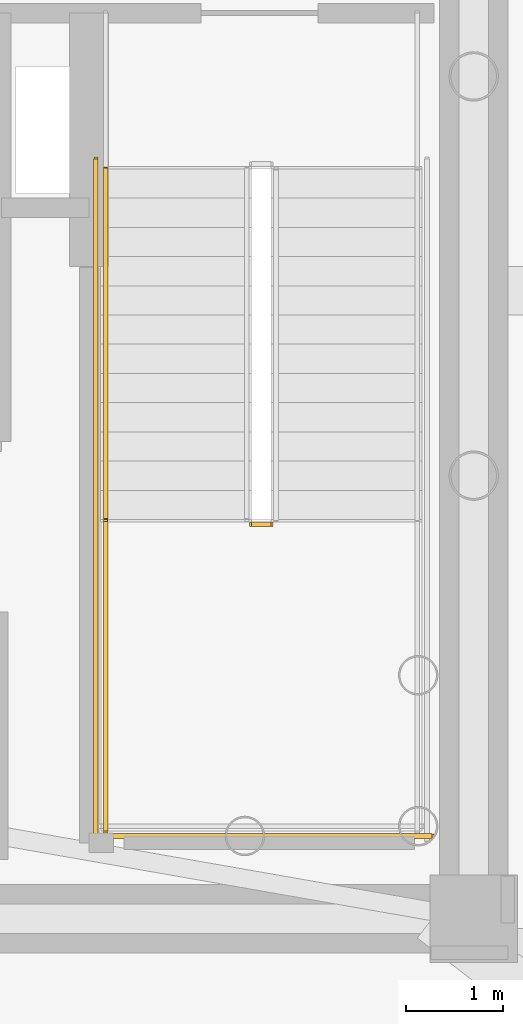
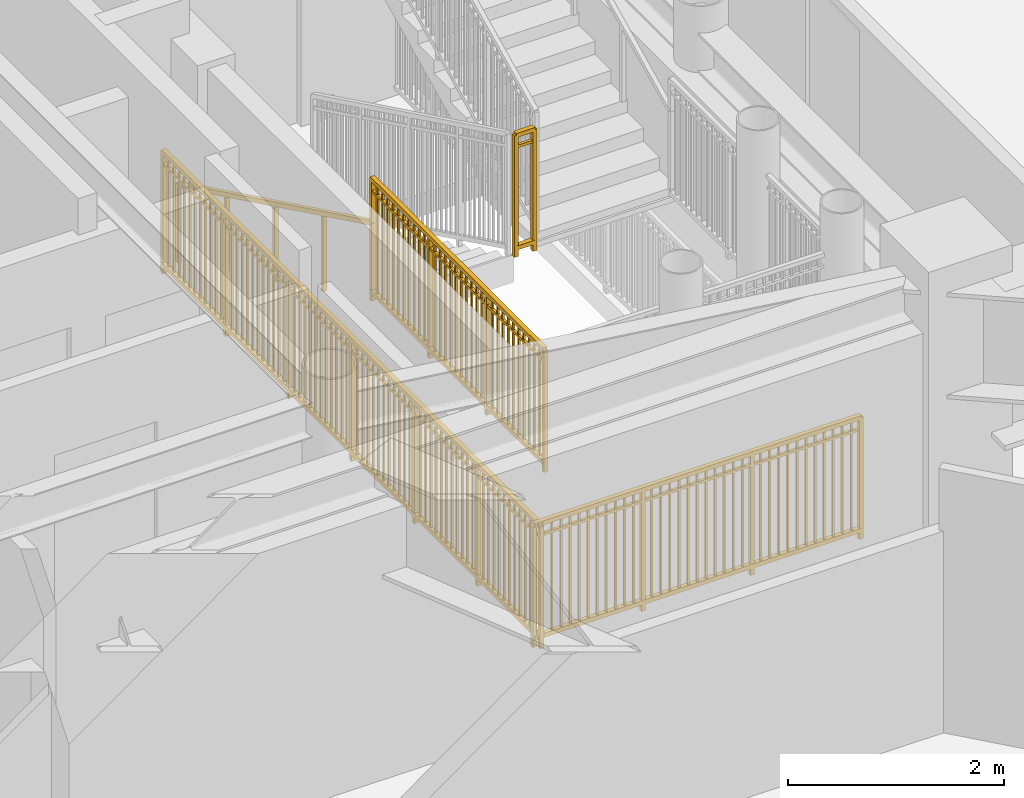
# One storey, part 12 of 16: 5 railings.
"""IFC4 building model written with IfcOpenShell, lengths in metres."""

from ifc_helpers import new_model, si_unit, direction, frame, origin, origin_2d, place, context, subcontext, project, spatial, rectangle, extrude, source, transform, mapped, material, type_object, element, save


model = new_model("IFC4")

# Units and contexts
model_context = context("Model", 3, precision=1e-05, world=origin(), true_north=direction((0.0, 1.0)))
body_context = subcontext(model_context, "Body", "Model", "MODEL_VIEW")
ifc_project = project(units=[si_unit("LENGTHUNIT", "METRE"), si_unit("AREAUNIT", "SQUARE_METRE"), si_unit("VOLUMEUNIT", "CUBIC_METRE"), si_unit("PLANEANGLEUNIT", "RADIAN"), si_unit("MASSUNIT", "GRAM", prefix="KILO")], contexts=[model_context])

# Site, building, storey
site_placement = place(None, origin())
site = spatial("IfcSite", under=ifc_project, at=site_placement, CompositionType="ELEMENT")
building_placement = place(site_placement, origin())
building = spatial("IfcBuilding", under=site, at=building_placement, Name="Linh Dai School and Residence Tower", CompositionType="ELEMENT")
storey_placement = place(building_placement, frame((0.0, 0.0, 343.0)))
storey = spatial("IfcBuildingStorey", under=building, at=storey_placement, Name="L85", CompositionType="ELEMENT", Elevation=343.0)

# Railings
ifc_material_1 = material(Name="Brushed Stainless Steel Handrail", Category="steel")
railing_type_1 = type_object("IfcRailingType", Name="RL-ST-HANDRAIL-900", PredefinedType="HANDRAIL", material=ifc_material_1)
shared_shape_1 = source(origin(), body_context, "Body", "SweptSolid", [
    extrude(rectangle(XDim=0.048095703125, YDim=0.048095703125, at=origin_2d()), frame((0.0, 0.0, 0.8759765625), z_axis=(0.0, -0.899012640991, 0.437922677352), x_axis=(1.0, 0.0, 0.0)), (0.0, 0.0, 1.0), 4.00439453125),
    extrude(rectangle(XDim=0.0419921875, YDim=0.0419921875, at=origin_2d()), origin(), (0.0, 0.0, 1.0), 0.8759765625),
    extrude(rectangle(XDim=0.0419921875, YDim=0.0419921875, at=origin_2d()), frame((0.0, -0.89990234375, 0.4384765625)), (0.0, 0.0, 1.0), 0.8759765625),
    extrude(rectangle(XDim=0.0419921875, YDim=0.0419921875, at=origin_2d()), frame((0.0, -1.800048828125, 0.876953125)), (0.0, 0.0, 1.0), 0.8759765625),
    extrude(rectangle(XDim=0.0419921875, YDim=0.0419921875, at=origin_2d()), frame((0.0, -2.7001953125, 1.315185546875)), (0.0, 0.0, 1.0), 0.8759765625),
    extrude(rectangle(XDim=0.0419921875, YDim=0.0419921875, at=origin_2d()), frame((0.0, -3.60009765625, 1.753662109375)), (0.0, 0.0, 1.0), 0.8759765625),
])
railing_1_placement = place(storey_placement, frame((41.070068359375, 28.25, 0.146240234375)))
element("IfcRailing", 1, at=railing_1_placement, inside=storey, type_object=railing_type_1, Name="L85 ST2 stair handrail 1", PredefinedType="HANDRAIL", context=body_context, shape_type="MappedRepresentation", body=[
    mapped(shared_shape_1, transform((0.0, 0.0, 0.0), x_axis=(1.0, 0.0, 0.0), y_axis=(0.0, 1.0, 0.0), z_axis=(0.0, 0.0, 1.0), scale=1.0)),
])
ifc_material_2 = material(Name="Structural Steel S355JR", Category="steel")
railing_type_2 = type_object("IfcRailingType", Name="RL-ST-GUARD-1400", PredefinedType="GUARDRAIL", material=ifc_material_2)
shared_shape_2 = source(origin(), body_context, "Body", "SweptSolid", [
    extrude(rectangle(XDim=0.048095703125, YDim=0.048095703125, at=origin_2d()), frame((0.0, 0.0, 1.3759765625), z_axis=(1.0, 0.0, 0.0), x_axis=(0.0, 1.0, 0.0)), (0.0, 0.0, 1.0), 0.199951171875),
    extrude(rectangle(XDim=0.048095703125, YDim=0.048095703125, at=origin_2d()), frame((0.0, 0.0, 0.10009765625), z_axis=(1.0, 0.0, 0.0), x_axis=(0.0, 1.0, 0.0)), (0.0, 0.0, 1.0), 0.199951171875),
    extrude(rectangle(XDim=0.030029296875, YDim=0.030029296875, at=origin_2d()), frame((0.0, 0.0, 1.239990234375), z_axis=(1.0, 0.0, 0.0), x_axis=(0.0, 1.0, 0.0)), (0.0, 0.0, 1.0), 0.199951171875),
    extrude(rectangle(XDim=0.0419921875, YDim=0.0419921875, at=origin_2d()), origin(), (0.0, 0.0, 1.0), 1.3759765625),
    extrude(rectangle(XDim=0.0419921875, YDim=0.0419921875, at=origin_2d()), frame((0.199951171875, 0.0, 0.0)), (0.0, 0.0, 1.0), 1.3759765625),
])
railing_2_placement = place(storey_placement, frame((42.570068359375, 24.60009765625, 1.89990234375)))
element("IfcRailing", 2, at=railing_2_placement, inside=storey, type_object=railing_type_2, Name="L85 ST2 stair guard 2", PredefinedType="GUARDRAIL", context=body_context, shape_type="MappedRepresentation", body=[
    mapped(shared_shape_2, transform((0.0, 0.0, 0.0), x_axis=(1.0, 0.0, 0.0), y_axis=(0.0, 1.0, 0.0), z_axis=(0.0, 0.0, 1.0), scale=1.0)),
])
shared_shape_3 = source(origin(), body_context, "Body", "SweptSolid", [
    extrude(rectangle(XDim=0.048095703125, YDim=0.048095703125, at=origin_2d()), frame((0.0, 0.0, 1.3759765625), z_axis=(0.0, -1.0, 0.0), x_axis=(1.0, 0.0, 0.0)), (0.0, 0.0, 1.0), 7.0),
    extrude(rectangle(XDim=0.048095703125, YDim=0.048095703125, at=origin_2d()), frame((0.0, 0.0, 0.10009765625), z_axis=(0.0, -1.0, 0.0), x_axis=(1.0, 0.0, 0.0)), (0.0, 0.0, 1.0), 7.0),
    extrude(rectangle(XDim=0.030029296875, YDim=0.030029296875, at=origin_2d()), frame((0.0, 0.0, 1.239990234375), z_axis=(0.0, -1.0, 0.0), x_axis=(1.0, 0.0, 0.0)), (0.0, 0.0, 1.0), 7.0),
    extrude(rectangle(XDim=0.02001953125, YDim=0.02001953125, at=origin_2d()), frame((0.0, -0.09716796875, 0.10009765625)), (0.0, 0.0, 1.0), 1.251708984375),
    extrude(rectangle(XDim=0.02001953125, YDim=0.02001953125, at=origin_2d()), frame((0.0, -0.1943359375, 0.10009765625)), (0.0, 0.0, 1.0), 1.251708984375),
    extrude(rectangle(XDim=0.02001953125, YDim=0.02001953125, at=origin_2d()), frame((0.0, -0.291748046875, 0.10009765625)), (0.0, 0.0, 1.0), 1.251708984375),
    extrude(rectangle(XDim=0.02001953125, YDim=0.02001953125, at=origin_2d()), frame((0.0, -0.388916015625, 0.10009765625)), (0.0, 0.0, 1.0), 1.251708984375),
    extrude(rectangle(XDim=0.02001953125, YDim=0.02001953125, at=origin_2d()), frame((0.0, -0.486083984375, 0.10009765625)), (0.0, 0.0, 1.0), 1.251708984375),
    extrude(rectangle(XDim=0.02001953125, YDim=0.02001953125, at=origin_2d()), frame((0.0, -0.583251953125, 0.10009765625)), (0.0, 0.0, 1.0), 1.251708984375),
    extrude(rectangle(XDim=0.02001953125, YDim=0.02001953125, at=origin_2d()), frame((0.0, -0.6806640625, 0.10009765625)), (0.0, 0.0, 1.0), 1.251708984375),
    extrude(rectangle(XDim=0.02001953125, YDim=0.02001953125, at=origin_2d()), frame((0.0, -0.77783203125, 0.10009765625)), (0.0, 0.0, 1.0), 1.251708984375),
    extrude(rectangle(XDim=0.02001953125, YDim=0.02001953125, at=origin_2d()), frame((0.0, -0.875, 0.10009765625)), (0.0, 0.0, 1.0), 1.251708984375),
    extrude(rectangle(XDim=0.02001953125, YDim=0.02001953125, at=origin_2d()), frame((0.0, -0.97216796875, 0.10009765625)), (0.0, 0.0, 1.0), 1.251708984375),
    extrude(rectangle(XDim=0.02001953125, YDim=0.02001953125, at=origin_2d()), frame((0.0, -1.0693359375, 0.10009765625)), (0.0, 0.0, 1.0), 1.251708984375),
    extrude(rectangle(XDim=0.02001953125, YDim=0.02001953125, at=origin_2d()), frame((0.0, -1.263916015625, 0.10009765625)), (0.0, 0.0, 1.0), 1.251708984375),
    extrude(rectangle(XDim=0.02001953125, YDim=0.02001953125, at=origin_2d()), frame((0.0, -1.361083984375, 0.10009765625)), (0.0, 0.0, 1.0), 1.251708984375),
    extrude(rectangle(XDim=0.02001953125, YDim=0.02001953125, at=origin_2d()), frame((0.0, -1.458251953125, 0.10009765625)), (0.0, 0.0, 1.0), 1.251708984375),
    extrude(rectangle(XDim=0.02001953125, YDim=0.02001953125, at=origin_2d()), frame((0.0, -1.5556640625, 0.10009765625)), (0.0, 0.0, 1.0), 1.251708984375),
    extrude(rectangle(XDim=0.02001953125, YDim=0.02001953125, at=origin_2d()), frame((0.0, -1.65283203125, 0.10009765625)), (0.0, 0.0, 1.0), 1.251708984375),
    extrude(rectangle(XDim=0.02001953125, YDim=0.02001953125, at=origin_2d()), frame((0.0, -1.75, 0.10009765625)), (0.0, 0.0, 1.0), 1.251708984375),
    extrude(rectangle(XDim=0.02001953125, YDim=0.02001953125, at=origin_2d()), frame((0.0, -1.84716796875, 0.10009765625)), (0.0, 0.0, 1.0), 1.251708984375),
    extrude(rectangle(XDim=0.02001953125, YDim=0.02001953125, at=origin_2d()), frame((0.0, -1.9443359375, 0.10009765625)), (0.0, 0.0, 1.0), 1.251708984375),
    extrude(rectangle(XDim=0.02001953125, YDim=0.02001953125, at=origin_2d()), frame((0.0, -2.041748046875, 0.10009765625)), (0.0, 0.0, 1.0), 1.251708984375),
    extrude(rectangle(XDim=0.02001953125, YDim=0.02001953125, at=origin_2d()), frame((0.0, -2.138916015625, 0.10009765625)), (0.0, 0.0, 1.0), 1.251708984375),
    extrude(rectangle(XDim=0.02001953125, YDim=0.02001953125, at=origin_2d()), frame((0.0, -2.236083984375, 0.10009765625)), (0.0, 0.0, 1.0), 1.251708984375),
    extrude(rectangle(XDim=0.02001953125, YDim=0.02001953125, at=origin_2d()), frame((0.0, -2.4306640625, 0.10009765625)), (0.0, 0.0, 1.0), 1.251708984375),
    extrude(rectangle(XDim=0.02001953125, YDim=0.02001953125, at=origin_2d()), frame((0.0, -2.52783203125, 0.10009765625)), (0.0, 0.0, 1.0), 1.251708984375),
    extrude(rectangle(XDim=0.02001953125, YDim=0.02001953125, at=origin_2d()), frame((0.0, -2.625, 0.10009765625)), (0.0, 0.0, 1.0), 1.251708984375),
    extrude(rectangle(XDim=0.02001953125, YDim=0.02001953125, at=origin_2d()), frame((0.0, -2.72216796875, 0.10009765625)), (0.0, 0.0, 1.0), 1.251708984375),
    extrude(rectangle(XDim=0.02001953125, YDim=0.02001953125, at=origin_2d()), frame((0.0, -2.8193359375, 0.10009765625)), (0.0, 0.0, 1.0), 1.251708984375),
    extrude(rectangle(XDim=0.02001953125, YDim=0.02001953125, at=origin_2d()), frame((0.0, -2.916748046875, 0.10009765625)), (0.0, 0.0, 1.0), 1.251708984375),
    extrude(rectangle(XDim=0.02001953125, YDim=0.02001953125, at=origin_2d()), frame((0.0, -3.013916015625, 0.10009765625)), (0.0, 0.0, 1.0), 1.251708984375),
    extrude(rectangle(XDim=0.02001953125, YDim=0.02001953125, at=origin_2d()), frame((0.0, -3.111083984375, 0.10009765625)), (0.0, 0.0, 1.0), 1.251708984375),
    extrude(rectangle(XDim=0.02001953125, YDim=0.02001953125, at=origin_2d()), frame((0.0, -3.208251953125, 0.10009765625)), (0.0, 0.0, 1.0), 1.251708984375),
    extrude(rectangle(XDim=0.02001953125, YDim=0.02001953125, at=origin_2d()), frame((0.0, -3.3056640625, 0.10009765625)), (0.0, 0.0, 1.0), 1.251708984375),
    extrude(rectangle(XDim=0.02001953125, YDim=0.02001953125, at=origin_2d()), frame((0.0, -3.40283203125, 0.10009765625)), (0.0, 0.0, 1.0), 1.251708984375),
    extrude(rectangle(XDim=0.02001953125, YDim=0.02001953125, at=origin_2d()), frame((0.0, -3.59716796875, 0.10009765625)), (0.0, 0.0, 1.0), 1.251708984375),
    extrude(rectangle(XDim=0.02001953125, YDim=0.02001953125, at=origin_2d()), frame((0.0, -3.6943359375, 0.10009765625)), (0.0, 0.0, 1.0), 1.251708984375),
    extrude(rectangle(XDim=0.02001953125, YDim=0.02001953125, at=origin_2d()), frame((0.0, -3.791748046875, 0.10009765625)), (0.0, 0.0, 1.0), 1.251708984375),
    extrude(rectangle(XDim=0.02001953125, YDim=0.02001953125, at=origin_2d()), frame((0.0, -3.888916015625, 0.10009765625)), (0.0, 0.0, 1.0), 1.251708984375),
    extrude(rectangle(XDim=0.02001953125, YDim=0.02001953125, at=origin_2d()), frame((0.0, -3.986083984375, 0.10009765625)), (0.0, 0.0, 1.0), 1.251708984375),
    extrude(rectangle(XDim=0.02001953125, YDim=0.02001953125, at=origin_2d()), frame((0.0, -4.083251953125, 0.10009765625)), (0.0, 0.0, 1.0), 1.251708984375),
    extrude(rectangle(XDim=0.02001953125, YDim=0.02001953125, at=origin_2d()), frame((0.0, -4.1806640625, 0.10009765625)), (0.0, 0.0, 1.0), 1.251708984375),
    extrude(rectangle(XDim=0.02001953125, YDim=0.02001953125, at=origin_2d()), frame((0.0, -4.27783203125, 0.10009765625)), (0.0, 0.0, 1.0), 1.251708984375),
    extrude(rectangle(XDim=0.02001953125, YDim=0.02001953125, at=origin_2d()), frame((0.0, -4.375, 0.10009765625)), (0.0, 0.0, 1.0), 1.251708984375),
    extrude(rectangle(XDim=0.02001953125, YDim=0.02001953125, at=origin_2d()), frame((0.0, -4.47216796875, 0.10009765625)), (0.0, 0.0, 1.0), 1.251708984375),
    extrude(rectangle(XDim=0.02001953125, YDim=0.02001953125, at=origin_2d()), frame((0.0, -4.5693359375, 0.10009765625)), (0.0, 0.0, 1.0), 1.251708984375),
    extrude(rectangle(XDim=0.02001953125, YDim=0.02001953125, at=origin_2d()), frame((0.0, -4.763916015625, 0.10009765625)), (0.0, 0.0, 1.0), 1.251708984375),
    extrude(rectangle(XDim=0.02001953125, YDim=0.02001953125, at=origin_2d()), frame((0.0, -4.861083984375, 0.10009765625)), (0.0, 0.0, 1.0), 1.251708984375),
    extrude(rectangle(XDim=0.02001953125, YDim=0.02001953125, at=origin_2d()), frame((0.0, -4.958251953125, 0.10009765625)), (0.0, 0.0, 1.0), 1.251708984375),
    extrude(rectangle(XDim=0.02001953125, YDim=0.02001953125, at=origin_2d()), frame((0.0, -5.0556640625, 0.10009765625)), (0.0, 0.0, 1.0), 1.251708984375),
    extrude(rectangle(XDim=0.02001953125, YDim=0.02001953125, at=origin_2d()), frame((0.0, -5.15283203125, 0.10009765625)), (0.0, 0.0, 1.0), 1.251708984375),
    extrude(rectangle(XDim=0.02001953125, YDim=0.02001953125, at=origin_2d()), frame((0.0, -5.25, 0.10009765625)), (0.0, 0.0, 1.0), 1.251708984375),
    extrude(rectangle(XDim=0.02001953125, YDim=0.02001953125, at=origin_2d()), frame((0.0, -5.34716796875, 0.10009765625)), (0.0, 0.0, 1.0), 1.251708984375),
    extrude(rectangle(XDim=0.02001953125, YDim=0.02001953125, at=origin_2d()), frame((0.0, -5.4443359375, 0.10009765625)), (0.0, 0.0, 1.0), 1.251708984375),
    extrude(rectangle(XDim=0.02001953125, YDim=0.02001953125, at=origin_2d()), frame((0.0, -5.541748046875, 0.10009765625)), (0.0, 0.0, 1.0), 1.251708984375),
    extrude(rectangle(XDim=0.02001953125, YDim=0.02001953125, at=origin_2d()), frame((0.0, -5.638916015625, 0.10009765625)), (0.0, 0.0, 1.0), 1.251708984375),
    extrude(rectangle(XDim=0.02001953125, YDim=0.02001953125, at=origin_2d()), frame((0.0, -5.736083984375, 0.10009765625)), (0.0, 0.0, 1.0), 1.251708984375),
    extrude(rectangle(XDim=0.02001953125, YDim=0.02001953125, at=origin_2d()), frame((0.0, -5.9306640625, 0.10009765625)), (0.0, 0.0, 1.0), 1.251708984375),
    extrude(rectangle(XDim=0.02001953125, YDim=0.02001953125, at=origin_2d()), frame((0.0, -6.02783203125, 0.10009765625)), (0.0, 0.0, 1.0), 1.251708984375),
    extrude(rectangle(XDim=0.02001953125, YDim=0.02001953125, at=origin_2d()), frame((0.0, -6.125, 0.10009765625)), (0.0, 0.0, 1.0), 1.251708984375),
    extrude(rectangle(XDim=0.02001953125, YDim=0.02001953125, at=origin_2d()), frame((0.0, -6.22216796875, 0.10009765625)), (0.0, 0.0, 1.0), 1.251708984375),
    extrude(rectangle(XDim=0.02001953125, YDim=0.02001953125, at=origin_2d()), frame((0.0, -6.3193359375, 0.10009765625)), (0.0, 0.0, 1.0), 1.251708984375),
    extrude(rectangle(XDim=0.02001953125, YDim=0.02001953125, at=origin_2d()), frame((0.0, -6.416748046875, 0.10009765625)), (0.0, 0.0, 1.0), 1.251708984375),
    extrude(rectangle(XDim=0.02001953125, YDim=0.02001953125, at=origin_2d()), frame((0.0, -6.513916015625, 0.10009765625)), (0.0, 0.0, 1.0), 1.251708984375),
    extrude(rectangle(XDim=0.02001953125, YDim=0.02001953125, at=origin_2d()), frame((0.0, -6.611083984375, 0.10009765625)), (0.0, 0.0, 1.0), 1.251708984375),
    extrude(rectangle(XDim=0.02001953125, YDim=0.02001953125, at=origin_2d()), frame((0.0, -6.708251953125, 0.10009765625)), (0.0, 0.0, 1.0), 1.251708984375),
    extrude(rectangle(XDim=0.02001953125, YDim=0.02001953125, at=origin_2d()), frame((0.0, -6.8056640625, 0.10009765625)), (0.0, 0.0, 1.0), 1.251708984375),
    extrude(rectangle(XDim=0.02001953125, YDim=0.02001953125, at=origin_2d()), frame((0.0, -6.90283203125, 0.10009765625)), (0.0, 0.0, 1.0), 1.251708984375),
    extrude(rectangle(XDim=0.0419921875, YDim=0.0419921875, at=origin_2d()), origin(), (0.0, 0.0, 1.0), 1.3759765625),
    extrude(rectangle(XDim=0.0419921875, YDim=0.0419921875, at=origin_2d()), frame((0.0, -1.166748046875, 0.0)), (0.0, 0.0, 1.0), 1.3759765625),
    extrude(rectangle(XDim=0.0419921875, YDim=0.0419921875, at=origin_2d()), frame((0.0, -2.333251953125, 0.0)), (0.0, 0.0, 1.0), 1.3759765625),
    extrude(rectangle(XDim=0.0419921875, YDim=0.0419921875, at=origin_2d()), frame((0.0, -3.5, 0.0)), (0.0, 0.0, 1.0), 1.3759765625),
    extrude(rectangle(XDim=0.0419921875, YDim=0.0419921875, at=origin_2d()), frame((0.0, -4.666748046875, 0.0)), (0.0, 0.0, 1.0), 1.3759765625),
    extrude(rectangle(XDim=0.0419921875, YDim=0.0419921875, at=origin_2d()), frame((0.0, -5.833251953125, 0.0)), (0.0, 0.0, 1.0), 1.3759765625),
    extrude(rectangle(XDim=0.0419921875, YDim=0.0419921875, at=origin_2d()), frame((0.0, -7.0, 0.0)), (0.0, 0.0, 1.0), 1.3759765625),
])
railing_3_placement = place(storey_placement, frame((40.969970703125, 28.35009765625, 0.0)))
element("IfcRailing", 3, at=railing_3_placement, inside=storey, type_object=railing_type_2, Name="L85 ST2 stair guard 10", PredefinedType="GUARDRAIL", context=body_context, shape_type="MappedRepresentation", body=[
    mapped(shared_shape_3, transform((0.0, 0.0, 0.0), x_axis=(1.0, 0.0, 0.0), y_axis=(0.0, 1.0, 0.0), z_axis=(0.0, 0.0, 1.0), scale=1.0)),
])
shared_shape_4 = source(origin(), body_context, "Body", "SweptSolid", [
    extrude(rectangle(XDim=0.048095703125, YDim=0.048095703125, at=origin_2d()), frame((0.0, 0.0, 1.3759765625), z_axis=(1.0, 0.0, 0.0), x_axis=(0.0, 1.0, 0.0)), (0.0, 0.0, 1.0), 3.5),
    extrude(rectangle(XDim=0.048095703125, YDim=0.048095703125, at=origin_2d()), frame((0.0, 0.0, 0.10009765625), z_axis=(1.0, 0.0, 0.0), x_axis=(0.0, 1.0, 0.0)), (0.0, 0.0, 1.0), 3.5),
    extrude(rectangle(XDim=0.030029296875, YDim=0.030029296875, at=origin_2d()), frame((0.0, 0.0, 1.239990234375), z_axis=(1.0, 0.0, 0.0), x_axis=(0.0, 1.0, 0.0)), (0.0, 0.0, 1.0), 3.5),
    extrude(rectangle(XDim=0.02001953125, YDim=0.02001953125, at=origin_2d()), frame((0.09716796875, 0.0, 0.10009765625)), (0.0, 0.0, 1.0), 1.251708984375),
    extrude(rectangle(XDim=0.02001953125, YDim=0.02001953125, at=origin_2d()), frame((0.1943359375, 0.0, 0.10009765625)), (0.0, 0.0, 1.0), 1.251708984375),
    extrude(rectangle(XDim=0.02001953125, YDim=0.02001953125, at=origin_2d()), frame((0.291748046875, 0.0, 0.10009765625)), (0.0, 0.0, 1.0), 1.251708984375),
    extrude(rectangle(XDim=0.02001953125, YDim=0.02001953125, at=origin_2d()), frame((0.388916015625, 0.0, 0.10009765625)), (0.0, 0.0, 1.0), 1.251708984375),
    extrude(rectangle(XDim=0.02001953125, YDim=0.02001953125, at=origin_2d()), frame((0.486083984375, 0.0, 0.10009765625)), (0.0, 0.0, 1.0), 1.251708984375),
    extrude(rectangle(XDim=0.02001953125, YDim=0.02001953125, at=origin_2d()), frame((0.583251953125, 0.0, 0.10009765625)), (0.0, 0.0, 1.0), 1.251708984375),
    extrude(rectangle(XDim=0.02001953125, YDim=0.02001953125, at=origin_2d()), frame((0.6806640625, 0.0, 0.10009765625)), (0.0, 0.0, 1.0), 1.251708984375),
    extrude(rectangle(XDim=0.02001953125, YDim=0.02001953125, at=origin_2d()), frame((0.77783203125, 0.0, 0.10009765625)), (0.0, 0.0, 1.0), 1.251708984375),
    extrude(rectangle(XDim=0.02001953125, YDim=0.02001953125, at=origin_2d()), frame((0.875, 0.0, 0.10009765625)), (0.0, 0.0, 1.0), 1.251708984375),
    extrude(rectangle(XDim=0.02001953125, YDim=0.02001953125, at=origin_2d()), frame((0.97216796875, 0.0, 0.10009765625)), (0.0, 0.0, 1.0), 1.251708984375),
    extrude(rectangle(XDim=0.02001953125, YDim=0.02001953125, at=origin_2d()), frame((1.0693359375, 0.0, 0.10009765625)), (0.0, 0.0, 1.0), 1.251708984375),
    extrude(rectangle(XDim=0.02001953125, YDim=0.02001953125, at=origin_2d()), frame((1.263916015625, 0.0, 0.10009765625)), (0.0, 0.0, 1.0), 1.251708984375),
    extrude(rectangle(XDim=0.02001953125, YDim=0.02001953125, at=origin_2d()), frame((1.361083984375, 0.0, 0.10009765625)), (0.0, 0.0, 1.0), 1.251708984375),
    extrude(rectangle(XDim=0.02001953125, YDim=0.02001953125, at=origin_2d()), frame((1.458251953125, 0.0, 0.10009765625)), (0.0, 0.0, 1.0), 1.251708984375),
    extrude(rectangle(XDim=0.02001953125, YDim=0.02001953125, at=origin_2d()), frame((1.5556640625, 0.0, 0.10009765625)), (0.0, 0.0, 1.0), 1.251708984375),
    extrude(rectangle(XDim=0.02001953125, YDim=0.02001953125, at=origin_2d()), frame((1.65283203125, 0.0, 0.10009765625)), (0.0, 0.0, 1.0), 1.251708984375),
    extrude(rectangle(XDim=0.02001953125, YDim=0.02001953125, at=origin_2d()), frame((1.75, 0.0, 0.10009765625)), (0.0, 0.0, 1.0), 1.251708984375),
    extrude(rectangle(XDim=0.02001953125, YDim=0.02001953125, at=origin_2d()), frame((1.84716796875, 0.0, 0.10009765625)), (0.0, 0.0, 1.0), 1.251708984375),
    extrude(rectangle(XDim=0.02001953125, YDim=0.02001953125, at=origin_2d()), frame((1.9443359375, 0.0, 0.10009765625)), (0.0, 0.0, 1.0), 1.251708984375),
    extrude(rectangle(XDim=0.02001953125, YDim=0.02001953125, at=origin_2d()), frame((2.041748046875, 0.0, 0.10009765625)), (0.0, 0.0, 1.0), 1.251708984375),
    extrude(rectangle(XDim=0.02001953125, YDim=0.02001953125, at=origin_2d()), frame((2.138916015625, 0.0, 0.10009765625)), (0.0, 0.0, 1.0), 1.251708984375),
    extrude(rectangle(XDim=0.02001953125, YDim=0.02001953125, at=origin_2d()), frame((2.236083984375, 0.0, 0.10009765625)), (0.0, 0.0, 1.0), 1.251708984375),
    extrude(rectangle(XDim=0.02001953125, YDim=0.02001953125, at=origin_2d()), frame((2.4306640625, 0.0, 0.10009765625)), (0.0, 0.0, 1.0), 1.251708984375),
    extrude(rectangle(XDim=0.02001953125, YDim=0.02001953125, at=origin_2d()), frame((2.52783203125, 0.0, 0.10009765625)), (0.0, 0.0, 1.0), 1.251708984375),
    extrude(rectangle(XDim=0.02001953125, YDim=0.02001953125, at=origin_2d()), frame((2.625, 0.0, 0.10009765625)), (0.0, 0.0, 1.0), 1.251708984375),
    extrude(rectangle(XDim=0.02001953125, YDim=0.02001953125, at=origin_2d()), frame((2.72216796875, 0.0, 0.10009765625)), (0.0, 0.0, 1.0), 1.251708984375),
    extrude(rectangle(XDim=0.02001953125, YDim=0.02001953125, at=origin_2d()), frame((2.8193359375, 0.0, 0.10009765625)), (0.0, 0.0, 1.0), 1.251708984375),
    extrude(rectangle(XDim=0.02001953125, YDim=0.02001953125, at=origin_2d()), frame((2.916748046875, 0.0, 0.10009765625)), (0.0, 0.0, 1.0), 1.251708984375),
    extrude(rectangle(XDim=0.02001953125, YDim=0.02001953125, at=origin_2d()), frame((3.013916015625, 0.0, 0.10009765625)), (0.0, 0.0, 1.0), 1.251708984375),
    extrude(rectangle(XDim=0.02001953125, YDim=0.02001953125, at=origin_2d()), frame((3.111083984375, 0.0, 0.10009765625)), (0.0, 0.0, 1.0), 1.251708984375),
    extrude(rectangle(XDim=0.02001953125, YDim=0.02001953125, at=origin_2d()), frame((3.208251953125, 0.0, 0.10009765625)), (0.0, 0.0, 1.0), 1.251708984375),
    extrude(rectangle(XDim=0.02001953125, YDim=0.02001953125, at=origin_2d()), frame((3.3056640625, 0.0, 0.10009765625)), (0.0, 0.0, 1.0), 1.251708984375),
    extrude(rectangle(XDim=0.02001953125, YDim=0.02001953125, at=origin_2d()), frame((3.40283203125, 0.0, 0.10009765625)), (0.0, 0.0, 1.0), 1.251708984375),
    extrude(rectangle(XDim=0.0419921875, YDim=0.0419921875, at=origin_2d()), origin(), (0.0, 0.0, 1.0), 1.3759765625),
    extrude(rectangle(XDim=0.0419921875, YDim=0.0419921875, at=origin_2d()), frame((1.166748046875, 0.0, 0.0)), (0.0, 0.0, 1.0), 1.3759765625),
    extrude(rectangle(XDim=0.0419921875, YDim=0.0419921875, at=origin_2d()), frame((2.333251953125, 0.0, 0.0)), (0.0, 0.0, 1.0), 1.3759765625),
    extrude(rectangle(XDim=0.0419921875, YDim=0.0419921875, at=origin_2d()), frame((3.5, 0.0, 0.0)), (0.0, 0.0, 1.0), 1.3759765625),
])
railing_4_placement = place(storey_placement, frame((40.919921875, 21.39990234375, 0.0)))
element("IfcRailing", 4, at=railing_4_placement, inside=storey, type_object=railing_type_2, Name="L85 ST2 stair guard 12", PredefinedType="GUARDRAIL", context=body_context, shape_type="MappedRepresentation", body=[
    mapped(shared_shape_4, transform((0.0, 0.0, 0.0), x_axis=(1.0, 0.0, 0.0), y_axis=(0.0, 1.0, 0.0), z_axis=(0.0, 0.0, 1.0), scale=1.0)),
])
shared_shape_5 = source(origin(), body_context, "Body", "SweptSolid", [
    extrude(rectangle(XDim=0.048095703125, YDim=0.048095703125, at=origin_2d()), frame((0.0, 0.0, 1.3759765625), z_axis=(0.0, -1.0, 0.0), x_axis=(1.0, 0.0, 0.0)), (0.0, 0.0, 1.0), 3.199951171875),
    extrude(rectangle(XDim=0.048095703125, YDim=0.048095703125, at=origin_2d()), frame((0.0, 0.0, 0.10009765625), z_axis=(0.0, -1.0, 0.0), x_axis=(1.0, 0.0, 0.0)), (0.0, 0.0, 1.0), 3.199951171875),
    extrude(rectangle(XDim=0.030029296875, YDim=0.030029296875, at=origin_2d()), frame((0.0, 0.0, 1.239990234375), z_axis=(0.0, -1.0, 0.0), x_axis=(1.0, 0.0, 0.0)), (0.0, 0.0, 1.0), 3.199951171875),
    extrude(rectangle(XDim=0.02001953125, YDim=0.02001953125, at=origin_2d()), frame((0.0, -0.096923828125, 0.10009765625)), (0.0, 0.0, 1.0), 1.251708984375),
    extrude(rectangle(XDim=0.02001953125, YDim=0.02001953125, at=origin_2d()), frame((0.0, -0.19384765625, 0.10009765625)), (0.0, 0.0, 1.0), 1.251708984375),
    extrude(rectangle(XDim=0.02001953125, YDim=0.02001953125, at=origin_2d()), frame((0.0, -0.291015625, 0.10009765625)), (0.0, 0.0, 1.0), 1.251708984375),
    extrude(rectangle(XDim=0.02001953125, YDim=0.02001953125, at=origin_2d()), frame((0.0, -0.387939453125, 0.10009765625)), (0.0, 0.0, 1.0), 1.251708984375),
    extrude(rectangle(XDim=0.02001953125, YDim=0.02001953125, at=origin_2d()), frame((0.0, -0.48486328125, 0.10009765625)), (0.0, 0.0, 1.0), 1.251708984375),
    extrude(rectangle(XDim=0.02001953125, YDim=0.02001953125, at=origin_2d()), frame((0.0, -0.581787109375, 0.10009765625)), (0.0, 0.0, 1.0), 1.251708984375),
    extrude(rectangle(XDim=0.02001953125, YDim=0.02001953125, at=origin_2d()), frame((0.0, -0.6787109375, 0.10009765625)), (0.0, 0.0, 1.0), 1.251708984375),
    extrude(rectangle(XDim=0.02001953125, YDim=0.02001953125, at=origin_2d()), frame((0.0, -0.775634765625, 0.10009765625)), (0.0, 0.0, 1.0), 1.251708984375),
    extrude(rectangle(XDim=0.02001953125, YDim=0.02001953125, at=origin_2d()), frame((0.0, -0.872802734375, 0.10009765625)), (0.0, 0.0, 1.0), 1.251708984375),
    extrude(rectangle(XDim=0.02001953125, YDim=0.02001953125, at=origin_2d()), frame((0.0, -0.9697265625, 0.10009765625)), (0.0, 0.0, 1.0), 1.251708984375),
    extrude(rectangle(XDim=0.02001953125, YDim=0.02001953125, at=origin_2d()), frame((0.0, -1.16357421875, 0.10009765625)), (0.0, 0.0, 1.0), 1.251708984375),
    extrude(rectangle(XDim=0.02001953125, YDim=0.02001953125, at=origin_2d()), frame((0.0, -1.260498046875, 0.10009765625)), (0.0, 0.0, 1.0), 1.251708984375),
    extrude(rectangle(XDim=0.02001953125, YDim=0.02001953125, at=origin_2d()), frame((0.0, -1.357666015625, 0.10009765625)), (0.0, 0.0, 1.0), 1.251708984375),
    extrude(rectangle(XDim=0.02001953125, YDim=0.02001953125, at=origin_2d()), frame((0.0, -1.45458984375, 0.10009765625)), (0.0, 0.0, 1.0), 1.251708984375),
    extrude(rectangle(XDim=0.02001953125, YDim=0.02001953125, at=origin_2d()), frame((0.0, -1.551513671875, 0.10009765625)), (0.0, 0.0, 1.0), 1.251708984375),
    extrude(rectangle(XDim=0.02001953125, YDim=0.02001953125, at=origin_2d()), frame((0.0, -1.6484375, 0.10009765625)), (0.0, 0.0, 1.0), 1.251708984375),
    extrude(rectangle(XDim=0.02001953125, YDim=0.02001953125, at=origin_2d()), frame((0.0, -1.745361328125, 0.10009765625)), (0.0, 0.0, 1.0), 1.251708984375),
    extrude(rectangle(XDim=0.02001953125, YDim=0.02001953125, at=origin_2d()), frame((0.0, -1.84228515625, 0.10009765625)), (0.0, 0.0, 1.0), 1.251708984375),
    extrude(rectangle(XDim=0.02001953125, YDim=0.02001953125, at=origin_2d()), frame((0.0, -1.939453125, 0.10009765625)), (0.0, 0.0, 1.0), 1.251708984375),
    extrude(rectangle(XDim=0.02001953125, YDim=0.02001953125, at=origin_2d()), frame((0.0, -2.036376953125, 0.10009765625)), (0.0, 0.0, 1.0), 1.251708984375),
    extrude(rectangle(XDim=0.02001953125, YDim=0.02001953125, at=origin_2d()), frame((0.0, -2.230224609375, 0.10009765625)), (0.0, 0.0, 1.0), 1.251708984375),
    extrude(rectangle(XDim=0.02001953125, YDim=0.02001953125, at=origin_2d()), frame((0.0, -2.3271484375, 0.10009765625)), (0.0, 0.0, 1.0), 1.251708984375),
    extrude(rectangle(XDim=0.02001953125, YDim=0.02001953125, at=origin_2d()), frame((0.0, -2.42431640625, 0.10009765625)), (0.0, 0.0, 1.0), 1.251708984375),
    extrude(rectangle(XDim=0.02001953125, YDim=0.02001953125, at=origin_2d()), frame((0.0, -2.521240234375, 0.10009765625)), (0.0, 0.0, 1.0), 1.251708984375),
    extrude(rectangle(XDim=0.02001953125, YDim=0.02001953125, at=origin_2d()), frame((0.0, -2.6181640625, 0.10009765625)), (0.0, 0.0, 1.0), 1.251708984375),
    extrude(rectangle(XDim=0.02001953125, YDim=0.02001953125, at=origin_2d()), frame((0.0, -2.715087890625, 0.10009765625)), (0.0, 0.0, 1.0), 1.251708984375),
    extrude(rectangle(XDim=0.02001953125, YDim=0.02001953125, at=origin_2d()), frame((0.0, -2.81201171875, 0.10009765625)), (0.0, 0.0, 1.0), 1.251708984375),
    extrude(rectangle(XDim=0.02001953125, YDim=0.02001953125, at=origin_2d()), frame((0.0, -2.908935546875, 0.10009765625)), (0.0, 0.0, 1.0), 1.251708984375),
    extrude(rectangle(XDim=0.02001953125, YDim=0.02001953125, at=origin_2d()), frame((0.0, -3.006103515625, 0.10009765625)), (0.0, 0.0, 1.0), 1.251708984375),
    extrude(rectangle(XDim=0.02001953125, YDim=0.02001953125, at=origin_2d()), frame((0.0, -3.10302734375, 0.10009765625)), (0.0, 0.0, 1.0), 1.251708984375),
    extrude(rectangle(XDim=0.0419921875, YDim=0.0419921875, at=origin_2d()), origin(), (0.0, 0.0, 1.0), 1.3759765625),
    extrude(rectangle(XDim=0.0419921875, YDim=0.0419921875, at=origin_2d()), frame((0.0, -1.066650390625, 0.0)), (0.0, 0.0, 1.0), 1.3759765625),
    extrude(rectangle(XDim=0.0419921875, YDim=0.0419921875, at=origin_2d()), frame((0.0, -2.13330078125, 0.0)), (0.0, 0.0, 1.0), 1.3759765625),
    extrude(rectangle(XDim=0.0419921875, YDim=0.0419921875, at=origin_2d()), frame((0.0, -3.199951171875, 0.0)), (0.0, 0.0, 1.0), 1.3759765625),
])
railing_5_placement = place(storey_placement, frame((41.070068359375, 24.64990234375, 1.89990234375)))
element("IfcRailing", 5, at=railing_5_placement, inside=storey, type_object=railing_type_2, Name="L85 ST2 stair guard 3", PredefinedType="GUARDRAIL", context=body_context, shape_type="MappedRepresentation", body=[
    mapped(shared_shape_5, transform((0.0, 0.0, 0.0), x_axis=(1.0, 0.0, 0.0), y_axis=(0.0, 1.0, 0.0), z_axis=(0.0, 0.0, 1.0), scale=1.0)),
])

save(model, "model.ifc")
